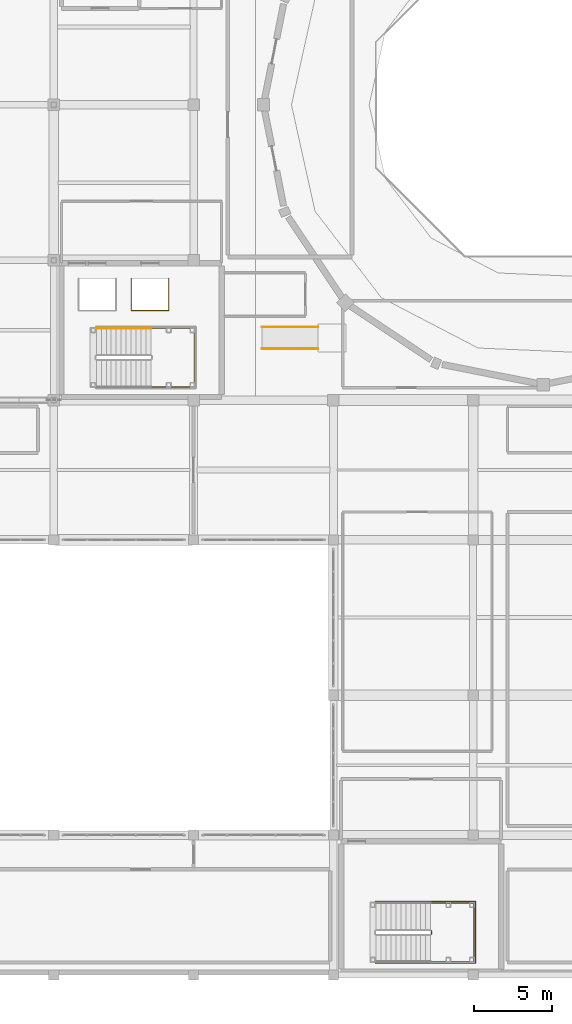
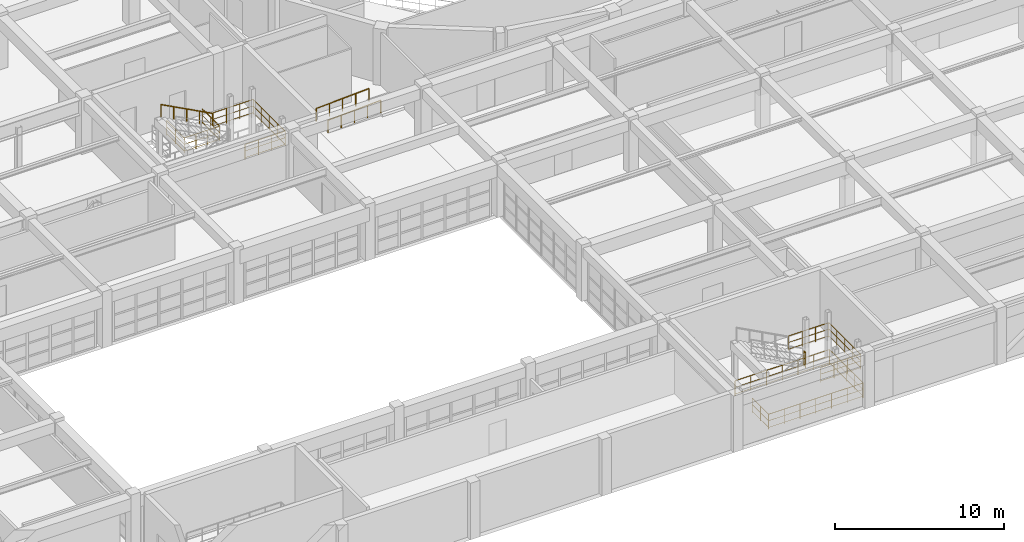
# One storey, part 123 of 130: 8 railings.
"""IFC4 building model written with IfcOpenShell, lengths in metres."""

from ifc_helpers import new_model, si_unit, direction, frame, origin, origin_2d, place, context, subcontext, project, spatial, circle, extrude, material, type_object, element, save


model = new_model("IFC4")

# Units and contexts
model_context = context("Model", 3, precision=1e-05, world=origin(), true_north=direction((0.0, 1.0)))
body_context = subcontext(model_context, "Body", "Model", "MODEL_VIEW")
ifc_project = project(units=[si_unit("LENGTHUNIT", "METRE"), si_unit("AREAUNIT", "SQUARE_METRE"), si_unit("VOLUMEUNIT", "CUBIC_METRE"), si_unit("PLANEANGLEUNIT", "RADIAN"), si_unit("MASSUNIT", "GRAM", prefix="KILO")], contexts=[model_context])

# Site, building, storey
site_placement = place(None, origin())
site = spatial("IfcSite", under=ifc_project, at=site_placement, CompositionType="ELEMENT")
building_placement = place(site_placement, origin())
building = spatial("IfcBuilding", under=site, at=building_placement, Name="Miravela Opera House", CompositionType="ELEMENT")
storey_placement = place(building_placement, frame((0.0, 0.0, 9.52001953125)))
storey = spatial("IfcBuildingStorey", under=building, at=storey_placement, Name="L02", CompositionType="ELEMENT", Elevation=9.52001953125)

# Railings
ifc_material_1 = material(Name="Brushed bronze continuous stair handrail")
railing_type_1 = type_object("IfcRailingType", Name="ARC-RAIL-HAND-900", PredefinedType="HANDRAIL", material=ifc_material_1)
railing_1_placement = place(storey_placement, frame((51.260009765625, 41.6298828125, 2.2099609375)))
element("IfcRailing", 1, at=railing_1_placement, inside=storey, type_object=railing_type_1, Name="L02 ST-02 stair handrail 2", PredefinedType="HANDRAIL", context=body_context, shape_type="SweptSolid", body=[
    extrude(circle(Radius=0.02392578125, at=origin_2d()), frame((0.0, 0.0, 0.8759765625), z_axis=(-0.883104616746, 0.0, 0.469176124586), x_axis=(0.0, -1.0, 0.0)), (0.0, 0.0, 1.0), 3.98583984375),
    extrude(circle(Radius=0.02099609375, at=origin_2d()), origin(), (0.0, 0.0, 1.0), 0.851806640625),
    extrude(circle(Radius=0.02099609375, at=origin_2d()), frame((-0.8798828125, 0.0, 0.467529296875)), (0.0, 0.0, 1.0), 0.851806640625),
    extrude(circle(Radius=0.02099609375, at=origin_2d()), frame((-1.760009765625, 0.0, 0.93505859375)), (0.0, 0.0, 1.0), 0.851806640625),
    extrude(circle(Radius=0.02099609375, at=origin_2d()), frame((-2.64013671875, 0.0, 1.402587890625)), (0.0, 0.0, 1.0), 0.851806640625),
    extrude(circle(Radius=0.02099609375, at=origin_2d()), frame((-3.52001953125, 0.0, 1.8701171875)), (0.0, 0.0, 1.0), 0.851806640625),
])
ifc_material_2 = material(Name="Brushed stainless accessible ramp handrail")
railing_type_2 = type_object("IfcRailingType", Name="ARC-RAIL-HAND-920", PredefinedType="HANDRAIL", material=ifc_material_2)
for number, where, name in (
    (2, (58.39990234375, 41.699951171875, 0.0), "Dress Circle Wheelchair Position Ramp Left Handrail 0149"),
    (3, (58.39990234375, 40.300048828125, 0.0), "Dress Circle Wheelchair Position Ramp Right Handrail 0150"),
):
    element("IfcRailing", number, at=place(storey_placement, frame(where)), inside=storey, type_object=railing_type_2, Name=name, PredefinedType="HANDRAIL", context=body_context, shape_type="SweptSolid", body=[
        extrude(circle(Radius=0.02197265625, at=origin_2d()), frame((0.0, 0.0, 0.89794921875), z_axis=(0.998753352096, 0.0, 0.049917348467), x_axis=(0.0, 1.0, 0.0)), (0.0, 0.0, 1.0), 3.6044921875),
        extrude(circle(Radius=0.02099609375, at=origin_2d()), origin(), (0.0, 0.0, 1.0), 0.8759765625),
        extrude(circle(Radius=0.02099609375, at=origin_2d()), frame((0.89990234375, 0.0, 0.044921875)), (0.0, 0.0, 1.0), 0.8759765625),
        extrude(circle(Radius=0.02099609375, at=origin_2d()), frame((1.800048828125, 0.0, 0.08984375)), (0.0, 0.0, 1.0), 0.8759765625),
        extrude(circle(Radius=0.02099609375, at=origin_2d()), frame((2.7001953125, 0.0, 0.135009765625)), (0.0, 0.0, 1.0), 0.8759765625),
        extrude(circle(Radius=0.02099609375, at=origin_2d()), frame((3.60009765625, 0.0, 0.179931640625)), (0.0, 0.0, 1.0), 0.8759765625),
    ])
ifc_material_3 = material(Name="Painted wrought-iron stair guardrail")
railing_type_3 = type_object("IfcRailingType", Name="ARC-RAIL-STAIR-GUARD", PredefinedType="GUARDRAIL", material=ifc_material_3)
railing_2_placement = place(storey_placement, frame((51.31005859375, 37.85009765625, 2.0400390625)))
element("IfcRailing", 4, at=railing_2_placement, inside=storey, type_object=railing_type_3, Name="Stair ST-02 Half-Landing Perimeter Guard (L02) 0016", PredefinedType="GUARDRAIL", context=body_context, shape_type="SweptSolid", body=[
    extrude(circle(Radius=0.02392578125, at=origin_2d()), frame((0.0, 0.0, 1.076171875), z_axis=(1.0, 0.0, 0.0), x_axis=(0.0, 1.0, 0.0)), (0.0, 0.0, 1.0), 2.739990234375),
    extrude(circle(Radius=0.01611328125, at=origin_2d()), frame((0.0, 0.0, 0.60498046875), z_axis=(1.0, 0.0, 0.0), x_axis=(0.0, 1.0, 0.0)), (0.0, 0.0, 1.0), 2.739990234375),
    extrude(circle(Radius=0.01611328125, at=origin_2d()), frame((0.0, 0.0, 0.1201171875), z_axis=(1.0, 0.0, 0.0), x_axis=(0.0, 1.0, 0.0)), (0.0, 0.0, 1.0), 2.739990234375),
    extrude(circle(Radius=0.02392578125, at=origin_2d()), frame((2.739990234375, 0.0, 1.076171875), z_axis=(0.0, 1.0, 0.0), x_axis=(-1.0, 0.0, 0.0)), (0.0, 0.0, 1.0), 3.77978515625),
    extrude(circle(Radius=0.01611328125, at=origin_2d()), frame((2.739990234375, 0.0, 0.60498046875), z_axis=(0.0, 1.0, 0.0), x_axis=(-1.0, 0.0, 0.0)), (0.0, 0.0, 1.0), 3.77978515625),
    extrude(circle(Radius=0.01611328125, at=origin_2d()), frame((2.739990234375, 0.0, 0.1201171875), z_axis=(0.0, 1.0, 0.0), x_axis=(-1.0, 0.0, 0.0)), (0.0, 0.0, 1.0), 3.77978515625),
    extrude(circle(Radius=0.02392578125, at=origin_2d()), frame((2.739990234375, 3.77978515625, 1.076171875), z_axis=(-1.0, 0.0, 0.0), x_axis=(0.0, -1.0, 0.0)), (0.0, 0.0, 1.0), 2.739990234375),
    extrude(circle(Radius=0.01611328125, at=origin_2d()), frame((2.739990234375, 3.77978515625, 0.60498046875), z_axis=(-1.0, 0.0, 0.0), x_axis=(0.0, -1.0, 0.0)), (0.0, 0.0, 1.0), 2.739990234375),
    extrude(circle(Radius=0.01611328125, at=origin_2d()), frame((2.739990234375, 3.77978515625, 0.1201171875), z_axis=(-1.0, 0.0, 0.0), x_axis=(0.0, -1.0, 0.0)), (0.0, 0.0, 1.0), 2.739990234375),
    extrude(circle(Radius=0.02099609375, at=origin_2d()), origin(), (0.0, 0.0, 1.0), 1.052001953125),
    extrude(circle(Radius=0.02099609375, at=origin_2d()), frame((0.913330078125, 0.0, 0.0)), (0.0, 0.0, 1.0), 1.052001953125),
    extrude(circle(Radius=0.02099609375, at=origin_2d()), frame((1.82666015625, 0.0, 0.0)), (0.0, 0.0, 1.0), 1.052001953125),
    extrude(circle(Radius=0.02099609375, at=origin_2d()), frame((2.739990234375, 0.0, 0.0)), (0.0, 0.0, 1.0), 1.052001953125),
    extrude(circle(Radius=0.02099609375, at=origin_2d()), frame((2.739990234375, 0.94482421875, 0.0)), (0.0, 0.0, 1.0), 1.052001953125),
    extrude(circle(Radius=0.02099609375, at=origin_2d()), frame((2.739990234375, 1.889892578125, 0.0)), (0.0, 0.0, 1.0), 1.052001953125),
    extrude(circle(Radius=0.02099609375, at=origin_2d()), frame((2.739990234375, 2.8349609375, 0.0)), (0.0, 0.0, 1.0), 1.052001953125),
    extrude(circle(Radius=0.02099609375, at=origin_2d()), frame((2.739990234375, 3.77978515625, 0.0)), (0.0, 0.0, 1.0), 1.052001953125),
    extrude(circle(Radius=0.02099609375, at=origin_2d()), frame((1.82666015625, 3.77978515625, 0.0)), (0.0, 0.0, 1.0), 1.052001953125),
    extrude(circle(Radius=0.02099609375, at=origin_2d()), frame((0.913330078125, 3.77978515625, 0.0)), (0.0, 0.0, 1.0), 1.052001953125),
    extrude(circle(Radius=0.02099609375, at=origin_2d()), frame((0.0, 3.77978515625, 0.0)), (0.0, 0.0, 1.0), 1.052001953125),
])
railing_3_placement = place(storey_placement, frame((69.31005859375, 2.639892578125, 2.0400390625)))
element("IfcRailing", 5, at=railing_3_placement, inside=storey, type_object=railing_type_3, Name="L02 ST-06 stair guard 2", PredefinedType="GUARDRAIL", context=body_context, shape_type="SweptSolid", body=[
    extrude(circle(Radius=0.02392578125, at=origin_2d()), frame((0.0, 0.0, 1.076171875), z_axis=(0.0, 1.0, 0.0), x_axis=(-1.0, 0.0, 0.0)), (0.0, 0.0, 1.0), 0.2001953125),
    extrude(circle(Radius=0.01611328125, at=origin_2d()), frame((0.0, 0.0, 0.60498046875), z_axis=(0.0, 1.0, 0.0), x_axis=(-1.0, 0.0, 0.0)), (0.0, 0.0, 1.0), 0.2001953125),
    extrude(circle(Radius=0.01611328125, at=origin_2d()), frame((0.0, 0.0, 0.1201171875), z_axis=(0.0, 1.0, 0.0), x_axis=(-1.0, 0.0, 0.0)), (0.0, 0.0, 1.0), 0.2001953125),
    extrude(circle(Radius=0.02099609375, at=origin_2d()), origin(), (0.0, 0.0, 1.0), 1.052001953125),
    extrude(circle(Radius=0.02099609375, at=origin_2d()), frame((0.0, 0.2001953125, 0.0)), (0.0, 0.0, 1.0), 1.052001953125),
])
railing_4_placement = place(storey_placement, frame((69.31005859375, 0.85009765625, 2.0400390625)))
element("IfcRailing", 6, at=railing_4_placement, inside=storey, type_object=railing_type_3, Name="Stair ST-06 Half-Landing Perimeter Guard (L02) 0062", PredefinedType="GUARDRAIL", context=body_context, shape_type="SweptSolid", body=[
    extrude(circle(Radius=0.02392578125, at=origin_2d()), frame((0.0, 0.0, 1.076171875), z_axis=(1.0, 0.0, 0.0), x_axis=(0.0, 1.0, 0.0)), (0.0, 0.0, 1.0), 2.739990234375),
    extrude(circle(Radius=0.01611328125, at=origin_2d()), frame((0.0, 0.0, 0.60498046875), z_axis=(1.0, 0.0, 0.0), x_axis=(0.0, 1.0, 0.0)), (0.0, 0.0, 1.0), 2.739990234375),
    extrude(circle(Radius=0.01611328125, at=origin_2d()), frame((0.0, 0.0, 0.1201171875), z_axis=(1.0, 0.0, 0.0), x_axis=(0.0, 1.0, 0.0)), (0.0, 0.0, 1.0), 2.739990234375),
    extrude(circle(Radius=0.02392578125, at=origin_2d()), frame((2.739990234375, 0.0, 1.076171875), z_axis=(0.0, 1.0, 0.0), x_axis=(-1.0, 0.0, 0.0)), (0.0, 0.0, 1.0), 3.77978515625),
    extrude(circle(Radius=0.01611328125, at=origin_2d()), frame((2.739990234375, 0.0, 0.60498046875), z_axis=(0.0, 1.0, 0.0), x_axis=(-1.0, 0.0, 0.0)), (0.0, 0.0, 1.0), 3.77978515625),
    extrude(circle(Radius=0.01611328125, at=origin_2d()), frame((2.739990234375, 0.0, 0.1201171875), z_axis=(0.0, 1.0, 0.0), x_axis=(-1.0, 0.0, 0.0)), (0.0, 0.0, 1.0), 3.77978515625),
    extrude(circle(Radius=0.02392578125, at=origin_2d()), frame((2.739990234375, 3.77978515625, 1.076171875), z_axis=(-1.0, 0.0, 0.0), x_axis=(0.0, -1.0, 0.0)), (0.0, 0.0, 1.0), 2.739990234375),
    extrude(circle(Radius=0.01611328125, at=origin_2d()), frame((2.739990234375, 3.77978515625, 0.60498046875), z_axis=(-1.0, 0.0, 0.0), x_axis=(0.0, -1.0, 0.0)), (0.0, 0.0, 1.0), 2.739990234375),
    extrude(circle(Radius=0.01611328125, at=origin_2d()), frame((2.739990234375, 3.77978515625, 0.1201171875), z_axis=(-1.0, 0.0, 0.0), x_axis=(0.0, -1.0, 0.0)), (0.0, 0.0, 1.0), 2.739990234375),
    extrude(circle(Radius=0.02099609375, at=origin_2d()), origin(), (0.0, 0.0, 1.0), 1.052001953125),
    extrude(circle(Radius=0.02099609375, at=origin_2d()), frame((0.913330078125, 0.0, 0.0)), (0.0, 0.0, 1.0), 1.052001953125),
    extrude(circle(Radius=0.02099609375, at=origin_2d()), frame((1.82666015625, 0.0, 0.0)), (0.0, 0.0, 1.0), 1.052001953125),
    extrude(circle(Radius=0.02099609375, at=origin_2d()), frame((2.739990234375, 0.0, 0.0)), (0.0, 0.0, 1.0), 1.052001953125),
    extrude(circle(Radius=0.02099609375, at=origin_2d()), frame((2.739990234375, 0.94482421875, 0.0)), (0.0, 0.0, 1.0), 1.052001953125),
    extrude(circle(Radius=0.02099609375, at=origin_2d()), frame((2.739990234375, 1.889892578125, 0.0)), (0.0, 0.0, 1.0), 1.052001953125),
    extrude(circle(Radius=0.02099609375, at=origin_2d()), frame((2.739990234375, 2.8349609375, 0.0)), (0.0, 0.0, 1.0), 1.052001953125),
    extrude(circle(Radius=0.02099609375, at=origin_2d()), frame((2.739990234375, 3.77978515625, 0.0)), (0.0, 0.0, 1.0), 1.052001953125),
    extrude(circle(Radius=0.02099609375, at=origin_2d()), frame((1.82666015625, 3.77978515625, 0.0)), (0.0, 0.0, 1.0), 1.052001953125),
    extrude(circle(Radius=0.02099609375, at=origin_2d()), frame((0.913330078125, 3.77978515625, 0.0)), (0.0, 0.0, 1.0), 1.052001953125),
    extrude(circle(Radius=0.02099609375, at=origin_2d()), frame((0.0, 3.77978515625, 0.0)), (0.0, 0.0, 1.0), 1.052001953125),
])
railing_5_placement = place(storey_placement, frame((65.68994140625, 2.669921875, 0.0)))
element("IfcRailing", 7, at=railing_5_placement, inside=storey, type_object=railing_type_3, Name="Stair ST-06 Well Slab Opening Guard (L02) 0065", PredefinedType="GUARDRAIL", context=body_context, shape_type="SweptSolid", body=[
    extrude(circle(Radius=0.02392578125, at=origin_2d()), frame((0.0, 0.0, 1.076171875), z_axis=(0.0, -1.0, 0.0), x_axis=(1.0, 0.0, 0.0)), (0.0, 0.0, 1.0), 1.919921875),
    extrude(circle(Radius=0.01611328125, at=origin_2d()), frame((0.0, 0.0, 0.60498046875), z_axis=(0.0, -1.0, 0.0), x_axis=(1.0, 0.0, 0.0)), (0.0, 0.0, 1.0), 1.919921875),
    extrude(circle(Radius=0.01611328125, at=origin_2d()), frame((0.0, 0.0, 0.1201171875), z_axis=(0.0, -1.0, 0.0), x_axis=(1.0, 0.0, 0.0)), (0.0, 0.0, 1.0), 1.919921875),
    extrude(circle(Radius=0.02392578125, at=origin_2d()), frame((0.0, -1.919921875, 1.076171875), z_axis=(1.0, 0.0, 0.0), x_axis=(0.0, 1.0, 0.0)), (0.0, 0.0, 1.0), 6.4599609375),
    extrude(circle(Radius=0.01611328125, at=origin_2d()), frame((0.0, -1.919921875, 0.60498046875), z_axis=(1.0, 0.0, 0.0), x_axis=(0.0, 1.0, 0.0)), (0.0, 0.0, 1.0), 6.4599609375),
    extrude(circle(Radius=0.01611328125, at=origin_2d()), frame((0.0, -1.919921875, 0.1201171875), z_axis=(1.0, 0.0, 0.0), x_axis=(0.0, 1.0, 0.0)), (0.0, 0.0, 1.0), 6.4599609375),
    extrude(circle(Radius=0.02392578125, at=origin_2d()), frame((6.4599609375, -1.919921875, 1.076171875), z_axis=(0.0, 1.0, 0.0), x_axis=(-1.0, 0.0, 0.0)), (0.0, 0.0, 1.0), 3.97998046875),
    extrude(circle(Radius=0.01611328125, at=origin_2d()), frame((6.4599609375, -1.919921875, 0.60498046875), z_axis=(0.0, 1.0, 0.0), x_axis=(-1.0, 0.0, 0.0)), (0.0, 0.0, 1.0), 3.97998046875),
    extrude(circle(Radius=0.01611328125, at=origin_2d()), frame((6.4599609375, -1.919921875, 0.1201171875), z_axis=(0.0, 1.0, 0.0), x_axis=(-1.0, 0.0, 0.0)), (0.0, 0.0, 1.0), 3.97998046875),
    extrude(circle(Radius=0.02392578125, at=origin_2d()), frame((6.4599609375, 2.06005859375, 1.076171875), z_axis=(-1.0, 0.0, 0.0), x_axis=(0.0, -1.0, 0.0)), (0.0, 0.0, 1.0), 6.4599609375),
    extrude(circle(Radius=0.01611328125, at=origin_2d()), frame((6.4599609375, 2.06005859375, 0.60498046875), z_axis=(-1.0, 0.0, 0.0), x_axis=(0.0, -1.0, 0.0)), (0.0, 0.0, 1.0), 6.4599609375),
    extrude(circle(Radius=0.01611328125, at=origin_2d()), frame((6.4599609375, 2.06005859375, 0.1201171875), z_axis=(-1.0, 0.0, 0.0), x_axis=(0.0, -1.0, 0.0)), (0.0, 0.0, 1.0), 6.4599609375),
    extrude(circle(Radius=0.02099609375, at=origin_2d()), origin(), (0.0, 0.0, 1.0), 1.052001953125),
    extrude(circle(Radius=0.02099609375, at=origin_2d()), frame((0.0, -0.9599609375, 0.0)), (0.0, 0.0, 1.0), 1.052001953125),
    extrude(circle(Radius=0.02099609375, at=origin_2d()), frame((0.0, -1.919921875, 0.0)), (0.0, 0.0, 1.0), 1.052001953125),
    extrude(circle(Radius=0.02099609375, at=origin_2d()), frame((1.07666015625, -1.919921875, 0.0)), (0.0, 0.0, 1.0), 1.052001953125),
    extrude(circle(Radius=0.02099609375, at=origin_2d()), frame((2.1533203125, -1.919921875, 0.0)), (0.0, 0.0, 1.0), 1.052001953125),
    extrude(circle(Radius=0.02099609375, at=origin_2d()), frame((3.22998046875, -1.919921875, 0.0)), (0.0, 0.0, 1.0), 1.052001953125),
    extrude(circle(Radius=0.02099609375, at=origin_2d()), frame((4.306640625, -1.919921875, 0.0)), (0.0, 0.0, 1.0), 1.052001953125),
    extrude(circle(Radius=0.02099609375, at=origin_2d()), frame((5.38330078125, -1.919921875, 0.0)), (0.0, 0.0, 1.0), 1.052001953125),
    extrude(circle(Radius=0.02099609375, at=origin_2d()), frame((6.4599609375, -1.919921875, 0.0)), (0.0, 0.0, 1.0), 1.052001953125),
    extrude(circle(Radius=0.02099609375, at=origin_2d()), frame((6.4599609375, -0.9248046875, 0.0)), (0.0, 0.0, 1.0), 1.052001953125),
    extrude(circle(Radius=0.02099609375, at=origin_2d()), frame((6.4599609375, 0.070068359375, 0.0)), (0.0, 0.0, 1.0), 1.052001953125),
    extrude(circle(Radius=0.02099609375, at=origin_2d()), frame((6.4599609375, 1.06494140625, 0.0)), (0.0, 0.0, 1.0), 1.052001953125),
    extrude(circle(Radius=0.02099609375, at=origin_2d()), frame((6.4599609375, 2.06005859375, 0.0)), (0.0, 0.0, 1.0), 1.052001953125),
    extrude(circle(Radius=0.02099609375, at=origin_2d()), frame((5.38330078125, 2.06005859375, 0.0)), (0.0, 0.0, 1.0), 1.052001953125),
    extrude(circle(Radius=0.02099609375, at=origin_2d()), frame((4.306640625, 2.06005859375, 0.0)), (0.0, 0.0, 1.0), 1.052001953125),
    extrude(circle(Radius=0.02099609375, at=origin_2d()), frame((3.22998046875, 2.06005859375, 0.0)), (0.0, 0.0, 1.0), 1.052001953125),
    extrude(circle(Radius=0.02099609375, at=origin_2d()), frame((2.1533203125, 2.06005859375, 0.0)), (0.0, 0.0, 1.0), 1.052001953125),
    extrude(circle(Radius=0.02099609375, at=origin_2d()), frame((1.07666015625, 2.06005859375, 0.0)), (0.0, 0.0, 1.0), 1.052001953125),
    extrude(circle(Radius=0.02099609375, at=origin_2d()), frame((0.0, 2.06005859375, 0.0)), (0.0, 0.0, 1.0), 1.052001953125),
])
railing_6_placement = place(storey_placement, frame((49.989990234375, 44.840087890625, 0.0)))
element("IfcRailing", 8, at=railing_6_placement, inside=storey, type_object=railing_type_3, Name="Lift PL-03 Hoistway Slab Opening Guard (L02) 0113", PredefinedType="GUARDRAIL", context=body_context, shape_type="SweptSolid", body=[
    extrude(circle(Radius=0.02392578125, at=origin_2d()), frame((0.0, 0.0, 1.076171875), z_axis=(0.0, -1.0, 0.0), x_axis=(1.0, 0.0, 0.0)), (0.0, 0.0, 1.0), 2.0751953125),
    extrude(circle(Radius=0.01611328125, at=origin_2d()), frame((0.0, 0.0, 0.60498046875), z_axis=(0.0, -1.0, 0.0), x_axis=(1.0, 0.0, 0.0)), (0.0, 0.0, 1.0), 2.0751953125),
    extrude(circle(Radius=0.01611328125, at=origin_2d()), frame((0.0, 0.0, 0.1201171875), z_axis=(0.0, -1.0, 0.0), x_axis=(1.0, 0.0, 0.0)), (0.0, 0.0, 1.0), 2.0751953125),
    extrude(circle(Radius=0.02392578125, at=origin_2d()), frame((0.0, -2.0751953125, 1.076171875), z_axis=(1.0, 0.0, 0.0), x_axis=(0.0, 1.0, 0.0)), (0.0, 0.0, 1.0), 2.419921875),
    extrude(circle(Radius=0.01611328125, at=origin_2d()), frame((0.0, -2.0751953125, 0.60498046875), z_axis=(1.0, 0.0, 0.0), x_axis=(0.0, 1.0, 0.0)), (0.0, 0.0, 1.0), 2.419921875),
    extrude(circle(Radius=0.01611328125, at=origin_2d()), frame((0.0, -2.0751953125, 0.1201171875), z_axis=(1.0, 0.0, 0.0), x_axis=(0.0, 1.0, 0.0)), (0.0, 0.0, 1.0), 2.419921875),
    extrude(circle(Radius=0.02392578125, at=origin_2d()), frame((2.419921875, -2.0751953125, 1.076171875), z_axis=(0.0, 1.0, 0.0), x_axis=(-1.0, 0.0, 0.0)), (0.0, 0.0, 1.0), 2.0751953125),
    extrude(circle(Radius=0.01611328125, at=origin_2d()), frame((2.419921875, -2.0751953125, 0.60498046875), z_axis=(0.0, 1.0, 0.0), x_axis=(-1.0, 0.0, 0.0)), (0.0, 0.0, 1.0), 2.0751953125),
    extrude(circle(Radius=0.01611328125, at=origin_2d()), frame((2.419921875, -2.0751953125, 0.1201171875), z_axis=(0.0, 1.0, 0.0), x_axis=(-1.0, 0.0, 0.0)), (0.0, 0.0, 1.0), 2.0751953125),
    extrude(circle(Radius=0.02099609375, at=origin_2d()), origin(), (0.0, 0.0, 1.0), 1.052001953125),
    extrude(circle(Radius=0.02099609375, at=origin_2d()), frame((0.0, -1.03759765625, 0.0)), (0.0, 0.0, 1.0), 1.052001953125),
    extrude(circle(Radius=0.02099609375, at=origin_2d()), frame((0.0, -2.0751953125, 0.0)), (0.0, 0.0, 1.0), 1.052001953125),
    extrude(circle(Radius=0.02099609375, at=origin_2d()), frame((0.806640625, -2.0751953125, 0.0)), (0.0, 0.0, 1.0), 1.052001953125),
    extrude(circle(Radius=0.02099609375, at=origin_2d()), frame((1.61328125, -2.0751953125, 0.0)), (0.0, 0.0, 1.0), 1.052001953125),
    extrude(circle(Radius=0.02099609375, at=origin_2d()), frame((2.419921875, -2.0751953125, 0.0)), (0.0, 0.0, 1.0), 1.052001953125),
    extrude(circle(Radius=0.02099609375, at=origin_2d()), frame((2.419921875, -1.03759765625, 0.0)), (0.0, 0.0, 1.0), 1.052001953125),
    extrude(circle(Radius=0.02099609375, at=origin_2d()), frame((2.419921875, 0.0, 0.0)), (0.0, 0.0, 1.0), 1.052001953125),
])

save(model, "model.ifc")
